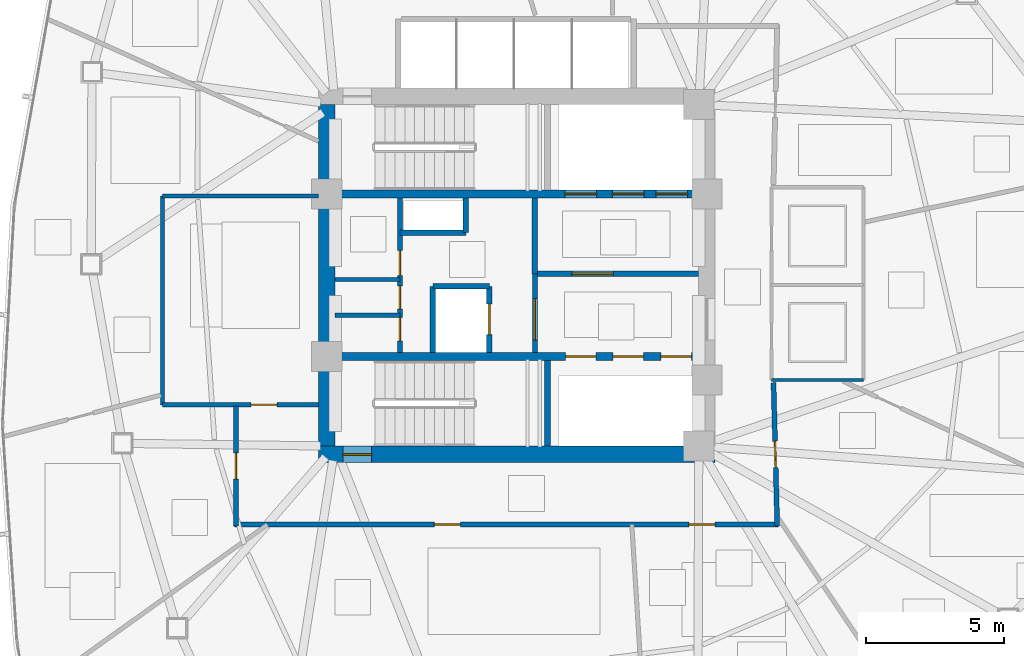
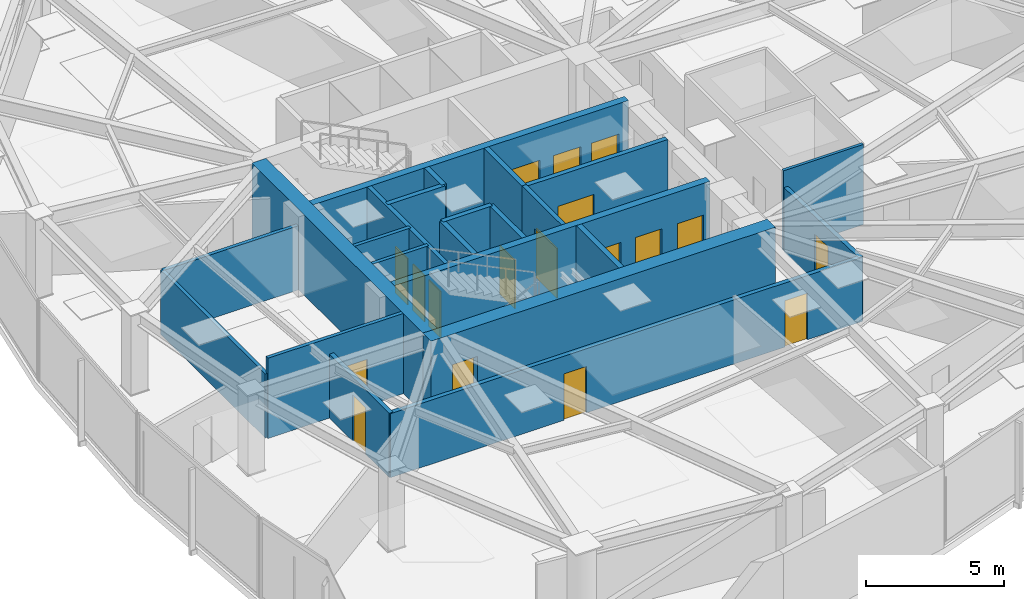
# One storey, part 11 of 17: 23 walls, 18 doors, 18 openings.
"""IFC4 building model written with IfcOpenShell, lengths in metres."""

from ifc_helpers import new_model, si_unit, direction, frame, frame_2d, origin, place, context, subcontext, project, spatial, rectangle, extrude, material, layer, layer_set, type_object, element, fill, save


model = new_model("IFC4")

# Units and contexts
model_context = context("Model", 3, precision=1e-05, world=origin(), true_north=direction((0.0, 1.0)))
body_context = subcontext(model_context, "Body", "Model", "MODEL_VIEW")
ifc_project = project(units=[si_unit("LENGTHUNIT", "METRE"), si_unit("AREAUNIT", "SQUARE_METRE"), si_unit("VOLUMEUNIT", "CUBIC_METRE"), si_unit("PLANEANGLEUNIT", "RADIAN"), si_unit("MASSUNIT", "GRAM", prefix="KILO")], contexts=[model_context])

# Site, building, storey
site_placement = place(None, origin())
site = spatial("IfcSite", under=ifc_project, at=site_placement, CompositionType="ELEMENT")
building_placement = place(site_placement, origin())
building = spatial("IfcBuilding", under=site, at=building_placement, Name="Tavelor Broadcast Tower", CompositionType="ELEMENT")
storey_placement = place(building_placement, frame((0.0, 0.0, 131.0)))
storey = spatial("IfcBuildingStorey", under=building, at=storey_placement, Name="L30", CompositionType="ELEMENT", Elevation=131.0)

# Wall, opening, door
ifc_material_1 = material(Name="Concrete C60/75", Category="concrete")
ifc_layer_1 = layer(ifc_material_1, 0.60009765625)
ifc_layer_set_1 = layer_set([ifc_layer_1], Name="Concrete C60/75")
wall_type_1 = type_object("IfcWallType", Name="Core Shear Wall 600 mm", PredefinedType="SHEAR", material=ifc_layer_set_1)
wall_1_placement = place(storey_placement, frame((42.800048828125, 38.5, 0.0), z_axis=(0.0, 0.0, 1.0), x_axis=(1.0, 0.0, 0.0)))
wall_1 = element("IfcWall", 1, at=wall_1_placement, inside=storey, type_object=wall_type_1, Name="L30 Central Core Shear Wall S", PredefinedType="SHEAR", context=body_context, shape_type="SweptSolid", body=[
    extrude(rectangle(XDim=14.39990234375, YDim=0.60009765625, at=frame_2d((7.199951171875, 0.0))), origin(), (0.0, 0.0, 1.0), 3.550048828125),
])
opening_1_placement = place(wall_1_placement, frame((0.8798828125, 0.0, 0.0)))
opening_1 = element("IfcOpeningElement", 2, at=opening_1_placement, cuts=wall_1, Name="Opening DR11", PredefinedType="OPENING", context=body_context, shape_type="SweptSolid", body=[
    extrude(rectangle(XDim=1.050048828125, YDim=2.199951171875, at=frame_2d((0.52490234375, 1.10009765625))), frame((0.0, 0.31005859375, 0.0), z_axis=(0.0, -1.0, 0.0), x_axis=(1.0, 0.0, 0.0)), (0.0, 0.0, 1.0), 0.6201171875),
])
ifc_material_2 = material(Name="Steel S355", Category="steel")
door_type_1 = type_object("IfcDoorType", Name="Stair Core Fire Escape Door 1050x2200", OperationType="NOTDEFINED", PredefinedType="DOOR", material=ifc_material_2)
door_1_placement = place(opening_1_placement, origin())
door_1 = element("IfcDoor", 3, at=door_1_placement, inside=storey, type_object=door_type_1, Name="L30 Stair ST2 Protected Exit Door", OperationType="SINGLE_SWING_RIGHT", OverallHeight=2.199951171875, OverallWidth=1.050048828125, PredefinedType="DOOR", context=body_context, shape_type="SweptSolid", body=[
    extrude(rectangle(XDim=1.050048828125, YDim=2.199951171875, at=frame_2d((0.52490234375, 1.10009765625))), frame((0.0, 0.02490234375, 0.0), z_axis=(0.0, -1.0, 0.0), x_axis=(1.0, 0.0, 0.0)), (0.0, 0.0, 1.0), 0.050048828125),
])
fill(opening_1, door_1)

# Wall
wall_2_placement = place(storey_placement, frame((43.10009765625, 38.800048828125, 0.0), z_axis=(0.0, 0.0, 1.0), x_axis=(0.0, 1.0, 0.0)))
element("IfcWall", 4, at=wall_2_placement, inside=storey, type_object=wall_type_1, Name="L30 Central Core Shear Wall W", PredefinedType="SHEAR", context=body_context, shape_type="SweptSolid", body=[
    extrude(rectangle(XDim=12.39990234375, YDim=0.60009765625, at=frame_2d((6.199951171875, 0.0))), origin(), (0.0, 0.0, 1.0), 3.550048828125),
])

# Wall, openings, doors
ifc_layer_2 = layer(ifc_material_1, 0.300048828125)
ifc_layer_set_2 = layer_set([ifc_layer_2], Name="Concrete C60/75")
wall_type_2 = type_object("IfcWallType", Name="Core Spine Shear Wall 300 mm C60", PredefinedType="SHEAR", material=ifc_layer_set_2)
wall_3_placement = place(storey_placement, frame((43.39990234375, 47.949951171875, 0.0), z_axis=(0.0, 0.0, 1.0), x_axis=(1.0, 0.0, 0.0)))
wall_3 = element("IfcWall", 5, at=wall_3_placement, inside=storey, type_object=wall_type_2, Name="L30 Central Core Shear Wall SP1", PredefinedType="SHEAR", context=body_context, shape_type="SweptSolid", body=[
    extrude(rectangle(XDim=13.2001953125, YDim=0.300048828125, at=frame_2d((6.60009765625, 0.0))), origin(), (0.0, 0.0, 1.0), 3.550048828125),
])
opening_2_placement = place(wall_3_placement, frame((8.344970703125, 0.0, 0.0)))
opening_2 = element("IfcOpeningElement", 6, at=opening_2_placement, cuts=wall_3, Name="Opening LD02", PredefinedType="OPENING", context=body_context, shape_type="SweptSolid", body=[
    extrude(rectangle(XDim=1.14990234375, YDim=2.199951171875, at=frame_2d((0.574951171875, 1.10009765625))), frame((0.0, 0.16015625, 0.0), z_axis=(0.0, -1.0, 0.0), x_axis=(1.0, 0.0, 0.0)), (0.0, 0.0, 1.0), 0.320068359375),
])
opening_3_placement = place(wall_3_placement, frame((10.06494140625, 0.0, 0.0)))
opening_3 = element("IfcOpeningElement", 7, at=opening_3_placement, cuts=wall_3, Name="Opening LD02", PredefinedType="OPENING", context=body_context, shape_type="SweptSolid", body=[
    extrude(rectangle(XDim=1.14990234375, YDim=2.199951171875, at=frame_2d((0.574951171875, 1.10009765625))), frame((0.0, 0.16015625, 0.0), z_axis=(0.0, -1.0, 0.0), x_axis=(1.0, 0.0, 0.0)), (0.0, 0.0, 1.0), 0.320068359375),
])
opening_4_placement = place(wall_3_placement, frame((11.64501953125, 0.0, 0.0)))
opening_4 = element("IfcOpeningElement", 8, at=opening_4_placement, cuts=wall_3, Name="Opening LD03", PredefinedType="OPENING", context=body_context, shape_type="SweptSolid", body=[
    extrude(rectangle(XDim=1.14990234375, YDim=2.199951171875, at=frame_2d((0.574951171875, 1.10009765625))), frame((0.0, 0.16015625, 0.0), z_axis=(0.0, -1.0, 0.0), x_axis=(1.0, 0.0, 0.0)), (0.0, 0.0, 1.0), 0.320068359375),
])
ifc_material_3 = material(Name="Reinforced Brushed Stainless Steel", Category="concrete")
door_type_2 = type_object("IfcDoorType", Name="Broadcast Goods Lift Sliding Landing Door 1250x2200", OperationType="NOTDEFINED", PredefinedType="DOOR", material=ifc_material_3)
door_2_placement = place(opening_4_placement, origin())
door_2 = element("IfcDoor", 9, at=door_2_placement, inside=storey, type_object=door_type_2, Name="L30 Lift SVL1 Sliding Landing Door", OperationType="SLIDING_TO_LEFT", OverallHeight=2.199951171875, OverallWidth=1.14990234375, PredefinedType="DOOR", context=body_context, shape_type="SweptSolid", body=[
    extrude(rectangle(XDim=1.14990234375, YDim=2.199951171875, at=frame_2d((0.574951171875, 1.10009765625))), frame((0.0, 0.02490234375, 0.0), z_axis=(0.0, -1.0, 0.0), x_axis=(1.0, 0.0, 0.0)), (0.0, 0.0, 1.0), 0.050048828125),
])
fill(opening_4, door_2)
ifc_material_4 = material(Name="Fire-Rated Stainless Steel", Category="steel")
door_type_3 = type_object("IfcDoorType", Name="Firefighting Lift Sliding Landing Door 1200x2200", OperationType="NOTDEFINED", PredefinedType="DOOR", material=ifc_material_4)
door_3_placement = place(opening_2_placement, origin())
door_3 = element("IfcDoor", 10, at=door_3_placement, inside=storey, type_object=door_type_3, Name="L30 Lift FFL1 Sliding Landing Door", OperationType="SLIDING_TO_LEFT", OverallHeight=2.199951171875, OverallWidth=1.14990234375, PredefinedType="DOOR", context=body_context, shape_type="SweptSolid", body=[
    extrude(rectangle(XDim=1.14990234375, YDim=2.199951171875, at=frame_2d((0.574951171875, 1.10009765625))), frame((0.0, 0.02490234375, 0.0), z_axis=(0.0, -1.0, 0.0), x_axis=(1.0, 0.0, 0.0)), (0.0, 0.0, 1.0), 0.050048828125),
])
fill(opening_2, door_3)
door_4_placement = place(opening_3_placement, origin())
door_4 = element("IfcDoor", 11, at=door_4_placement, inside=storey, type_object=door_type_3, Name="L30 Lift FFL2 Sliding Landing Door", OperationType="SLIDING_TO_LEFT", OverallHeight=2.199951171875, OverallWidth=1.14990234375, PredefinedType="DOOR", context=body_context, shape_type="SweptSolid", body=[
    extrude(rectangle(XDim=1.14990234375, YDim=2.199951171875, at=frame_2d((0.574951171875, 1.10009765625))), frame((0.0, 0.02490234375, 0.0), z_axis=(0.0, -1.0, 0.0), x_axis=(1.0, 0.0, 0.0)), (0.0, 0.0, 1.0), 0.050048828125),
])
fill(opening_3, door_4)

wall_4_placement = place(storey_placement, frame((43.39990234375, 42.050048828125, 0.0), z_axis=(0.0, 0.0, 1.0), x_axis=(1.0, 0.0, 0.0)))
wall_4 = element("IfcWall", 12, at=wall_4_placement, inside=storey, type_object=wall_type_2, Name="L30 Central Core Shear Wall SP2", PredefinedType="SHEAR", context=body_context, shape_type="SweptSolid", body=[
    extrude(rectangle(XDim=13.2001953125, YDim=0.300048828125, at=frame_2d((6.60009765625, 0.0))), origin(), (0.0, 0.0, 1.0), 3.550048828125),
])
opening_5_placement = place(wall_4_placement, frame((8.3701171875, 0.0, 0.0)))
opening_5 = element("IfcOpeningElement", 13, at=opening_5_placement, cuts=wall_4, Name="Opening LD01", PredefinedType="OPENING", context=body_context, shape_type="SweptSolid", body=[
    extrude(rectangle(XDim=1.10009765625, YDim=2.14990234375, at=frame_2d((0.550048828125, 1.074951171875))), frame((0.0, 0.16015625, 0.0), z_axis=(0.0, -1.0, 0.0), x_axis=(1.0, 0.0, 0.0)), (0.0, 0.0, 1.0), 0.320068359375),
])
opening_6_placement = place(wall_4_placement, frame((10.090087890625, 0.0, 0.0)))
opening_6 = element("IfcOpeningElement", 14, at=opening_6_placement, cuts=wall_4, Name="Opening LD01", PredefinedType="OPENING", context=body_context, shape_type="SweptSolid", body=[
    extrude(rectangle(XDim=1.10009765625, YDim=2.14990234375, at=frame_2d((0.550048828125, 1.074951171875))), frame((0.0, 0.16015625, 0.0), z_axis=(0.0, -1.0, 0.0), x_axis=(1.0, 0.0, 0.0)), (0.0, 0.0, 1.0), 0.320068359375),
])
opening_7_placement = place(wall_4_placement, frame((11.830078125, 0.0, 0.0)))
opening_7 = element("IfcOpeningElement", 15, at=opening_7_placement, cuts=wall_4, Name="Opening LD01", PredefinedType="OPENING", context=body_context, shape_type="SweptSolid", body=[
    extrude(rectangle(XDim=1.10009765625, YDim=2.14990234375, at=frame_2d((0.550048828125, 1.074951171875))), frame((0.0, 0.16015625, 0.0), z_axis=(0.0, -1.0, 0.0), x_axis=(1.0, 0.0, 0.0)), (0.0, 0.0, 1.0), 0.320068359375),
])
ifc_material_5 = material(Name="Brushed Stainless Steel", Category="steel")
door_type_4 = type_object("IfcDoorType", Name="Passenger Lift Sliding Landing Door 1100x2150", OperationType="NOTDEFINED", PredefinedType="DOOR", material=ifc_material_5)
door_5_placement = place(opening_5_placement, origin())
door_5 = element("IfcDoor", 16, at=door_5_placement, inside=storey, type_object=door_type_4, Name="L30 Lift PLM1 Sliding Landing Door", OperationType="SLIDING_TO_LEFT", OverallHeight=2.14990234375, OverallWidth=1.10009765625, PredefinedType="DOOR", context=body_context, shape_type="SweptSolid", body=[
    extrude(rectangle(XDim=1.10009765625, YDim=2.14990234375, at=frame_2d((0.550048828125, 1.074951171875))), frame((0.0, 0.02490234375, 0.0), z_axis=(0.0, -1.0, 0.0), x_axis=(1.0, 0.0, 0.0)), (0.0, 0.0, 1.0), 0.050048828125),
])
fill(opening_5, door_5)
door_6_placement = place(opening_6_placement, origin())
door_6 = element("IfcDoor", 17, at=door_6_placement, inside=storey, type_object=door_type_4, Name="L30 Lift PLM2 Sliding Landing Door", OperationType="SLIDING_TO_LEFT", OverallHeight=2.14990234375, OverallWidth=1.10009765625, PredefinedType="DOOR", context=body_context, shape_type="SweptSolid", body=[
    extrude(rectangle(XDim=1.10009765625, YDim=2.14990234375, at=frame_2d((0.550048828125, 1.074951171875))), frame((0.0, 0.02490234375, 0.0), z_axis=(0.0, -1.0, 0.0), x_axis=(1.0, 0.0, 0.0)), (0.0, 0.0, 1.0), 0.050048828125),
])
fill(opening_6, door_6)
door_7_placement = place(opening_7_placement, origin())
door_7 = element("IfcDoor", 18, at=door_7_placement, inside=storey, type_object=door_type_4, Name="L30 Lift PLM3 Sliding Landing Door", OperationType="SLIDING_TO_LEFT", OverallHeight=2.14990234375, OverallWidth=1.10009765625, PredefinedType="DOOR", context=body_context, shape_type="SweptSolid", body=[
    extrude(rectangle(XDim=1.10009765625, YDim=2.14990234375, at=frame_2d((0.550048828125, 1.074951171875))), frame((0.0, 0.02490234375, 0.0), z_axis=(0.0, -1.0, 0.0), x_axis=(1.0, 0.0, 0.0)), (0.0, 0.0, 1.0), 0.050048828125),
])
fill(opening_7, door_7)

# Wall, opening, door
ifc_material_6 = material(Name="Calcium Silicate Fire Board 180 mm", Category="gypsum")
ifc_layer_3 = layer(ifc_material_6, 0.179931640625)
ifc_layer_set_3 = layer_set([ifc_layer_3], Name="Calcium Silicate Fire Board 180 mm")
wall_type_3 = type_object("IfcWallType", Name="Fire-Rated Corridor Partition Wall 180 mm", PredefinedType="PARTITIONING", material=ifc_layer_set_3)
wall_5_placement = place(storey_placement, frame((50.64990234375, 42.199951171875, 0.0), z_axis=(0.0, 0.0, 1.0), x_axis=(0.0, 1.0, 0.0)))
wall_5 = element("IfcWall", 19, at=wall_5_placement, inside=storey, type_object=wall_type_3, Name="L30 Core Lobby Zoning Wall", PredefinedType="PARTITIONING", context=body_context, shape_type="SweptSolid", body=[
    extrude(rectangle(XDim=2.85009765625, YDim=0.179931640625, at=frame_2d((1.425048828125, 0.0))), origin(), (0.0, 0.0, 1.0), 3.550048828125),
])
opening_8_placement = place(wall_5_placement, frame((0.449951171875, 0.0, 0.0)))
opening_8 = element("IfcOpeningElement", 20, at=opening_8_placement, cuts=wall_5, Name="Opening DR14", PredefinedType="OPENING", context=body_context, shape_type="SweptSolid", body=[
    extrude(rectangle(XDim=1.5, YDim=2.199951171875, at=frame_2d((0.75, 1.10009765625))), frame((0.0, 0.10009765625, 0.0), z_axis=(0.0, -1.0, 0.0), x_axis=(1.0, 0.0, 0.0)), (0.0, 0.0, 1.0), 0.199951171875),
])
door_type_5 = type_object("IfcDoorType", Name="Firefighting Lobby Double Fire Door 1500x2200", OperationType="NOTDEFINED", PredefinedType="DOOR", material=ifc_material_2)
door_8_placement = place(opening_8_placement, origin())
door_8 = element("IfcDoor", 21, at=door_8_placement, inside=storey, type_object=door_type_5, Name="L30 Core West Lobby Double Fire Door", OperationType="SINGLE_SWING_RIGHT", OverallHeight=2.199951171875, OverallWidth=1.5, PredefinedType="DOOR", context=body_context, shape_type="SweptSolid", body=[
    extrude(rectangle(XDim=1.5, YDim=2.199951171875, at=frame_2d((0.75, 1.10009765625))), frame((0.0, 0.02490234375, 0.0), z_axis=(0.0, -1.0, 0.0), x_axis=(1.0, 0.0, 0.0)), (0.0, 0.0, 1.0), 0.050048828125),
])
fill(opening_8, door_8)

# Wall, openings, doors
wall_6_placement = place(storey_placement, frame((45.75, 42.199951171875, 0.0), z_axis=(0.0, 0.0, 1.0), x_axis=(0.0, 1.0, 0.0)))
wall_6 = element("IfcWall", 22, at=wall_6_placement, inside=storey, type_object=wall_type_3, Name="L30 Core West Service East Wall", PredefinedType="PARTITIONING", context=body_context, shape_type="SweptSolid", body=[
    extrude(rectangle(XDim=5.60009765625, YDim=0.179931640625, at=frame_2d((2.800048828125, 0.0))), origin(), (0.0, 0.0, 1.0), 3.550048828125),
])
opening_9_placement = place(wall_6_placement, frame((0.419921875, 0.0, 0.0)))
opening_9 = element("IfcOpeningElement", 23, at=opening_9_placement, cuts=wall_6, Name="Opening DR36", PredefinedType="OPENING", context=body_context, shape_type="SweptSolid", body=[
    extrude(rectangle(XDim=0.85009765625, YDim=2.050048828125, at=frame_2d((0.425048828125, 1.02490234375))), frame((0.0, 0.10009765625, 0.0), z_axis=(0.0, -1.0, 0.0), x_axis=(1.0, 0.0, 0.0)), (0.0, 0.0, 1.0), 0.199951171875),
])
opening_10_placement = place(wall_6_placement, frame((1.570068359375, 0.0, 0.0)))
opening_10 = element("IfcOpeningElement", 24, at=opening_10_placement, cuts=wall_6, Name="Opening DR36", PredefinedType="OPENING", context=body_context, shape_type="SweptSolid", body=[
    extrude(rectangle(XDim=0.85009765625, YDim=2.050048828125, at=frame_2d((0.425048828125, 1.02490234375))), frame((0.0, 0.10009765625, 0.0), z_axis=(0.0, -1.0, 0.0), x_axis=(1.0, 0.0, 0.0)), (0.0, 0.0, 1.0), 0.199951171875),
])
opening_11_placement = place(wall_6_placement, frame((2.800048828125, 0.0, 0.0)))
opening_11 = element("IfcOpeningElement", 25, at=opening_11_placement, cuts=wall_6, Name="Opening DR32", PredefinedType="OPENING", context=body_context, shape_type="SweptSolid", body=[
    extrude(rectangle(XDim=0.89990234375, YDim=2.050048828125, at=frame_2d((0.449951171875, 1.02490234375))), frame((0.0, 0.10009765625, 0.0), z_axis=(0.0, -1.0, 0.0), x_axis=(1.0, 0.0, 0.0)), (0.0, 0.0, 1.0), 0.199951171875),
])
ifc_material_7 = material(Name="Timber Solid Core Hardwood", Category="wood")
door_type_6 = type_object("IfcDoorType", Name="Accessible Washroom Door 900x2050", OperationType="NOTDEFINED", PredefinedType="DOOR", material=ifc_material_7)
door_9_placement = place(opening_11_placement, origin())
door_9 = element("IfcDoor", 26, at=door_9_placement, inside=storey, type_object=door_type_6, Name="L30 Core Accessible WC Door", OperationType="SINGLE_SWING_LEFT", OverallHeight=2.050048828125, OverallWidth=0.89990234375, PredefinedType="DOOR", context=body_context, shape_type="SweptSolid", body=[
    extrude(rectangle(XDim=0.89990234375, YDim=2.050048828125, at=frame_2d((0.449951171875, 1.02490234375))), frame((0.0, 0.02490234375, 0.0), z_axis=(0.0, -1.0, 0.0), x_axis=(1.0, 0.0, 0.0)), (0.0, 0.0, 1.0), 0.050048828125),
])
fill(opening_11, door_9)
door_type_7 = type_object("IfcDoorType", Name="Service Room Fire Door 850x2050", OperationType="NOTDEFINED", PredefinedType="DOOR", material=ifc_material_2)
door_10_placement = place(opening_9_placement, origin())
door_10 = element("IfcDoor", 27, at=door_10_placement, inside=storey, type_object=door_type_7, Name="L30 Core Medical Room Door", OperationType="SINGLE_SWING_LEFT", OverallHeight=2.050048828125, OverallWidth=0.85009765625, PredefinedType="DOOR", context=body_context, shape_type="SweptSolid", body=[
    extrude(rectangle(XDim=0.85009765625, YDim=2.050048828125, at=frame_2d((0.425048828125, 1.02490234375))), frame((0.0, 0.02490234375, 0.0), z_axis=(0.0, -1.0, 0.0), x_axis=(1.0, 0.0, 0.0)), (0.0, 0.0, 1.0), 0.050048828125),
])
fill(opening_9, door_10)
door_11_placement = place(opening_10_placement, origin())
door_11 = element("IfcDoor", 28, at=door_11_placement, inside=storey, type_object=door_type_7, Name="L30 Core Copy Room Door", OperationType="SINGLE_SWING_RIGHT", OverallHeight=2.050048828125, OverallWidth=0.85009765625, PredefinedType="DOOR", context=body_context, shape_type="SweptSolid", body=[
    extrude(rectangle(XDim=0.85009765625, YDim=2.050048828125, at=frame_2d((0.425048828125, 1.02490234375))), frame((0.0, 0.02490234375, 0.0), z_axis=(0.0, -1.0, 0.0), x_axis=(1.0, 0.0, 0.0)), (0.0, 0.0, 1.0), 0.050048828125),
])
fill(opening_10, door_11)

# Wall, opening, door
wall_7_placement = place(storey_placement, frame((59.31640625, 41.10009765625, 0.0), z_axis=(0.0, 0.0, 1.0), x_axis=(0.025953695765, -0.999663146103, 0.0)))
wall_7 = element("IfcWall", 29, at=wall_7_placement, inside=storey, type_object=wall_type_3, Name="L30 Corridor Compartment Wall 03", PredefinedType="PARTITIONING", context=body_context, shape_type="SweptSolid", body=[
    extrude(rectangle(XDim=5.201904296875, YDim=0.179931640625, at=frame_2d((2.60107421875, 0.0))), origin(), (0.0, 0.0, 1.0), 2.8349609375),
])
opening_12_placement = place(wall_7_placement, frame((2.1259765625, 0.0, 0.0)))
opening_12 = element("IfcOpeningElement", 30, at=opening_12_placement, cuts=wall_7, Name="Opening DR18", PredefinedType="OPENING", context=body_context, shape_type="SweptSolid", body=[
    extrude(rectangle(XDim=0.949951171875, YDim=2.050048828125, at=frame_2d((0.47509765625, 1.02490234375))), frame((0.0, 0.10009765625, 0.0), z_axis=(0.0, -1.0, 0.0), x_axis=(1.0, 0.0, 0.0)), (0.0, 0.0, 1.0), 0.199951171875),
])
door_type_8 = type_object("IfcDoorType", Name="Corridor Rated Compartment Door 950x2050", OperationType="NOTDEFINED", PredefinedType="DOOR", material=ifc_material_7)
door_12_placement = place(opening_12_placement, origin())
door_12 = element("IfcDoor", 31, at=door_12_placement, inside=storey, type_object=door_type_8, Name="L30 Creative Huddle Room Door R0", OperationType="SINGLE_SWING_LEFT", OverallHeight=2.050048828125, OverallWidth=0.949951171875, PredefinedType="DOOR", context=body_context, shape_type="SweptSolid", body=[
    extrude(rectangle(XDim=0.949951171875, YDim=2.050048828125, at=frame_2d((0.47509765625, 1.02490234375))), frame((0.0, 0.02490234375, 0.0), z_axis=(0.0, -1.0, 0.0), x_axis=(1.0, 0.0, 0.0)), (0.0, 0.0, 1.0), 0.050048828125),
])
fill(opening_12, door_12)

# Wall, openings, doors
wall_8_placement = place(storey_placement, frame((59.5, 35.949951171875, 0.0), z_axis=(0.0, 0.0, 1.0), x_axis=(-1.0, 0.0, 0.0)))
wall_8 = element("IfcWall", 32, at=wall_8_placement, inside=storey, type_object=wall_type_3, Name="L30 Corridor Compartment Wall 04", PredefinedType="PARTITIONING", context=body_context, shape_type="SweptSolid", body=[
    extrude(rectangle(XDim=19.75, YDim=0.179931640625, at=frame_2d((9.875, 0.0))), origin(), (0.0, 0.0, 1.0), 2.8349609375),
])
opening_13_placement = place(wall_8_placement, frame((2.3037109375, 0.0, 0.0)))
opening_13 = element("IfcOpeningElement", 33, at=opening_13_placement, cuts=wall_8, Name="Opening DR18", PredefinedType="OPENING", context=body_context, shape_type="SweptSolid", body=[
    extrude(rectangle(XDim=0.949951171875, YDim=2.050048828125, at=frame_2d((0.47509765625, 1.02490234375))), frame((0.0, 0.10009765625, 0.0), z_axis=(0.0, -1.0, 0.0), x_axis=(1.0, 0.0, 0.0)), (0.0, 0.0, 1.0), 0.199951171875),
])
opening_14_placement = place(wall_8_placement, frame((11.549560546875, 0.0, 0.0)))
opening_14 = element("IfcOpeningElement", 34, at=opening_14_placement, cuts=wall_8, Name="Opening DR18", PredefinedType="OPENING", context=body_context, shape_type="SweptSolid", body=[
    extrude(rectangle(XDim=0.949951171875, YDim=2.050048828125, at=frame_2d((0.47509765625, 1.02490234375))), frame((0.0, 0.10009765625, 0.0), z_axis=(0.0, -1.0, 0.0), x_axis=(1.0, 0.0, 0.0)), (0.0, 0.0, 1.0), 0.199951171875),
])
door_13_placement = place(opening_13_placement, origin())
door_13 = element("IfcDoor", 35, at=door_13_placement, inside=storey, type_object=door_type_8, Name="L30 Technical Mail and Post Room Door R9", OperationType="SINGLE_SWING_RIGHT", OverallHeight=2.050048828125, OverallWidth=0.949951171875, PredefinedType="DOOR", context=body_context, shape_type="SweptSolid", body=[
    extrude(rectangle(XDim=0.949951171875, YDim=2.050048828125, at=frame_2d((0.47509765625, 1.02490234375))), frame((0.0, 0.02490234375, 0.0), z_axis=(0.0, -1.0, 0.0), x_axis=(1.0, 0.0, 0.0)), (0.0, 0.0, 1.0), 0.050048828125),
])
fill(opening_13, door_13)
door_14_placement = place(opening_14_placement, origin())
door_14 = element("IfcDoor", 36, at=door_14_placement, inside=storey, type_object=door_type_8, Name="L30 Producer Interview Room Door R2", OperationType="SINGLE_SWING_LEFT", OverallHeight=2.050048828125, OverallWidth=0.949951171875, PredefinedType="DOOR", context=body_context, shape_type="SweptSolid", body=[
    extrude(rectangle(XDim=0.949951171875, YDim=2.050048828125, at=frame_2d((0.47509765625, 1.02490234375))), frame((0.0, 0.02490234375, 0.0), z_axis=(0.0, -1.0, 0.0), x_axis=(1.0, 0.0, 0.0)), (0.0, 0.0, 1.0), 0.050048828125),
])
fill(opening_14, door_14)

# Wall, opening, door
wall_9_placement = place(storey_placement, frame((39.800048828125, 35.89990234375, 0.0), z_axis=(0.0, 0.0, 1.0), x_axis=(0.0, 1.0, 0.0)))
wall_9 = element("IfcWall", 37, at=wall_9_placement, inside=storey, type_object=wall_type_3, Name="L30 Corridor Compartment Wall 05", PredefinedType="PARTITIONING", context=body_context, shape_type="SweptSolid", body=[
    extrude(rectangle(XDim=4.35009765625, YDim=0.179931640625, at=frame_2d((2.175048828125, 0.0))), origin(), (0.0, 0.0, 1.0), 2.8349609375),
])
opening_15_placement = place(wall_9_placement, frame((1.699951171875, 0.0, 0.0)))
opening_15 = element("IfcOpeningElement", 38, at=opening_15_placement, cuts=wall_9, Name="Opening DR18", PredefinedType="OPENING", context=body_context, shape_type="SweptSolid", body=[
    extrude(rectangle(XDim=0.949951171875, YDim=2.050048828125, at=frame_2d((0.47509765625, 1.02490234375))), frame((0.0, 0.10009765625, 0.0), z_axis=(0.0, -1.0, 0.0), x_axis=(1.0, 0.0, 0.0)), (0.0, 0.0, 1.0), 0.199951171875),
])
door_15_placement = place(opening_15_placement, origin())
door_15 = element("IfcDoor", 39, at=door_15_placement, inside=storey, type_object=door_type_8, Name="L30 Editorial Huddle Room Door R3", OperationType="SINGLE_SWING_RIGHT", OverallHeight=2.050048828125, OverallWidth=0.949951171875, PredefinedType="DOOR", context=body_context, shape_type="SweptSolid", body=[
    extrude(rectangle(XDim=0.949951171875, YDim=2.050048828125, at=frame_2d((0.47509765625, 1.02490234375))), frame((0.0, 0.02490234375, 0.0), z_axis=(0.0, -1.0, 0.0), x_axis=(1.0, 0.0, 0.0)), (0.0, 0.0, 1.0), 0.050048828125),
])
fill(opening_15, door_15)

# Walls
ifc_material_8 = material(Name="Gypsum Acoustic Plasterboard 150 mm", Category="gypsum")
ifc_layer_4 = layer(ifc_material_8, 0.14990234375)
ifc_layer_set_4 = layer_set([ifc_layer_4], Name="Gypsum Acoustic Plasterboard 150 mm")
wall_type_4 = type_object("IfcWallType", Name="Interior Acoustic Partition Wall 150 mm", PredefinedType="PARTITIONING", material=ifc_layer_set_4)
for number, where, z_axis, x_axis, name in (
    (40, (43.39990234375, 43.550048828125, 0.0), (0.0, 0.0, 1.0), (1.0, 0.0, 0.0), "L30 Core Split Wall B1"),
    (41, (43.39990234375, 44.85009765625, 0.0), (0.0, 0.0, 1.0), (1.0, 0.0, 0.0), "L30 Core Split Wall B2"),
):
    element("IfcWall", number, at=place(storey_placement, frame(where, z_axis=z_axis, x_axis=x_axis)), inside=storey, type_object=wall_type_4, Name=name, PredefinedType="PARTITIONING", context=body_context, shape_type="SweptSolid", body=[
        extrude(rectangle(XDim=2.35009765625, YDim=0.14990234375, at=frame_2d((1.175048828125, 0.0))), origin(), (0.0, 0.0, 1.0), 3.550048828125),
    ])

# Wall, opening, door
wall_10_placement = place(storey_placement, frame((37.139892578125, 40.300048828125, 0.0), z_axis=(0.0, 0.0, 1.0), x_axis=(1.0, 0.0, 0.0)))
wall_10 = element("IfcWall", 42, at=wall_10_placement, inside=storey, type_object=wall_type_4, Name="L30 Reclaimed Shaft Pantry South Wall", PredefinedType="PARTITIONING", context=body_context, shape_type="SweptSolid", body=[
    extrude(rectangle(XDim=5.66015625, YDim=0.14990234375, at=frame_2d((2.830078125, 0.0))), origin(), (0.0, 0.0, 1.0), 3.550048828125),
])
opening_16_placement = place(wall_10_placement, frame((3.2099609375, 0.0, 0.0)))
opening_16 = element("IfcOpeningElement", 43, at=opening_16_placement, cuts=wall_10, Name="Opening DR18", PredefinedType="OPENING", context=body_context, shape_type="SweptSolid", body=[
    extrude(rectangle(XDim=0.949951171875, YDim=2.050048828125, at=frame_2d((0.47509765625, 1.02490234375))), frame((0.0, 0.0849609375, 0.0), z_axis=(0.0, -1.0, 0.0), x_axis=(1.0, 0.0, 0.0)), (0.0, 0.0, 1.0), 0.169921875),
])
door_16_placement = place(opening_16_placement, origin())
door_16 = element("IfcDoor", 44, at=door_16_placement, inside=storey, type_object=door_type_8, Name="L30 Broadcast IT Patch and Pantry Door", OperationType="SINGLE_SWING_LEFT", OverallHeight=2.050048828125, OverallWidth=0.949951171875, PredefinedType="DOOR", context=body_context, shape_type="SweptSolid", body=[
    extrude(rectangle(XDim=0.949951171875, YDim=2.050048828125, at=frame_2d((0.47509765625, 1.02490234375))), frame((0.0, 0.02490234375, 0.0), z_axis=(0.0, -1.0, 0.0), x_axis=(1.0, 0.0, 0.0)), (0.0, 0.0, 1.0), 0.050048828125),
])
fill(opening_16, door_16)

# Walls
wall_11_placement = place(storey_placement, frame((37.139892578125, 40.300048828125, 0.0), z_axis=(0.0, 0.0, 1.0), x_axis=(0.0, 1.0, 0.0)))
element("IfcWall", 45, at=wall_11_placement, inside=storey, type_object=wall_type_4, Name="L30 Reclaimed Shaft Pantry West Wall", PredefinedType="PARTITIONING", context=body_context, shape_type="SweptSolid", body=[
    extrude(rectangle(XDim=7.579833984375, YDim=0.14990234375, at=frame_2d((3.7900390625, 0.0))), origin(), (0.0, 0.0, 1.0), 2.8349609375),
])
wall_12_placement = place(storey_placement, frame((37.139892578125, 47.8798828125, 0.0), z_axis=(0.0, 0.0, 1.0), x_axis=(1.0, 0.0, 0.0)))
element("IfcWall", 46, at=wall_12_placement, inside=storey, type_object=wall_type_4, Name="L30 Reclaimed Shaft Pantry North Wall", PredefinedType="PARTITIONING", context=body_context, shape_type="SweptSolid", body=[
    extrude(rectangle(XDim=5.66015625, YDim=0.14990234375, at=frame_2d((2.830078125, 0.0))), origin(), (0.0, 0.0, 1.0), 2.8349609375),
])

# Wall, opening, door
ifc_material_9 = material(Name="Concrete Blockwork 200 mm", Category="masonry")
ifc_layer_5 = layer(ifc_material_9, 0.199951171875)
ifc_layer_set_5 = layer_set([ifc_layer_5], Name="Concrete Blockwork 200 mm")
wall_type_5 = type_object("IfcWallType", Name="Lift Hoistway Rated Front Wall 200 mm", PredefinedType="PARTITIONING", material=ifc_layer_set_5)
wall_13_placement = place(storey_placement, frame((49.0, 42.199951171875, 0.0), z_axis=(0.0, 0.0, 1.0), x_axis=(0.0, 1.0, 0.0)))
wall_13 = element("IfcWall", 47, at=wall_13_placement, inside=storey, type_object=wall_type_5, Name="L30 Mid-Rise Lift PLM4 Hoistway Front Wall", PredefinedType="PARTITIONING", context=body_context, shape_type="SweptSolid", body=[
    extrude(rectangle(XDim=2.400146484375, YDim=0.199951171875, at=frame_2d((1.2001953125, 0.0))), origin(), (0.0, 0.0, 1.0), 3.550048828125),
])
opening_17_placement = place(wall_13_placement, frame((0.64990234375, 0.0, 0.0)))
opening_17 = element("IfcOpeningElement", 48, at=opening_17_placement, cuts=wall_13, Name="Opening LD01", PredefinedType="OPENING", context=body_context, shape_type="SweptSolid", body=[
    extrude(rectangle(XDim=1.10009765625, YDim=2.14990234375, at=frame_2d((0.550048828125, 1.074951171875))), frame((0.0, 0.10986328125, 0.0), z_axis=(0.0, -1.0, 0.0), x_axis=(1.0, 0.0, 0.0)), (0.0, 0.0, 1.0), 0.219970703125),
])
door_17_placement = place(opening_17_placement, origin())
door_17 = element("IfcDoor", 49, at=door_17_placement, inside=storey, type_object=door_type_4, Name="L30 Lift PLM4 Sliding Landing Door", OperationType="SLIDING_TO_RIGHT", OverallHeight=2.14990234375, OverallWidth=1.10009765625, PredefinedType="DOOR", context=body_context, shape_type="SweptSolid", body=[
    extrude(rectangle(XDim=1.10009765625, YDim=2.14990234375, at=frame_2d((0.550048828125, 1.074951171875))), frame((0.0, 0.02490234375, 0.0), z_axis=(0.0, -1.0, 0.0), x_axis=(1.0, 0.0, 0.0)), (0.0, 0.0, 1.0), 0.050048828125),
])
fill(opening_17, door_17)

# Walls
ifc_layer_6 = layer(ifc_material_9, 0.199951171875)
ifc_layer_set_6 = layer_set([ifc_layer_6], Name="Concrete Blockwork 200 mm")
wall_type_6 = type_object("IfcWallType", Name="Lift and Riser Shaft Enclosure Wall 200 mm", PredefinedType="PARTITIONING", material=ifc_layer_set_6)
wall_14_placement = place(storey_placement, frame((45.75, 46.550048828125, 0.0), z_axis=(0.0, 0.0, 1.0), x_axis=(1.0, 0.0, 0.0)))
element("IfcWall", 50, at=wall_14_placement, inside=storey, type_object=wall_type_6, Name="L30 Riser Shaft South Wall", PredefinedType="PARTITIONING", context=body_context, shape_type="SweptSolid", body=[
    extrude(rectangle(XDim=2.39990234375, YDim=0.199951171875, at=frame_2d((1.199951171875, 0.0))), origin(), (0.0, 0.0, 1.0), 3.550048828125),
])
wall_15_placement = place(storey_placement, frame((48.14990234375, 46.550048828125, 0.0), z_axis=(0.0, 0.0, 1.0), x_axis=(0.0, 1.0, 0.0)))
element("IfcWall", 51, at=wall_15_placement, inside=storey, type_object=wall_type_6, Name="L30 Riser Shaft East Wall", PredefinedType="PARTITIONING", context=body_context, shape_type="SweptSolid", body=[
    extrude(rectangle(XDim=1.25, YDim=0.199951171875, at=frame_2d((0.625, 0.0))), origin(), (0.0, 0.0, 1.0), 3.550048828125),
])
wall_16_placement = place(storey_placement, frame((46.949951171875, 42.199951171875, 0.0), z_axis=(0.0, 0.0, 1.0), x_axis=(0.0, 1.0, 0.0)))
element("IfcWall", 52, at=wall_16_placement, inside=storey, type_object=wall_type_6, Name="L30 Mid-Rise Lift PLM4 West Wall", PredefinedType="PARTITIONING", context=body_context, shape_type="SweptSolid", body=[
    extrude(rectangle(XDim=2.400146484375, YDim=0.199951171875, at=frame_2d((1.2001953125, 0.0))), origin(), (0.0, 0.0, 1.0), 3.550048828125),
])
wall_17_placement = place(storey_placement, frame((46.949951171875, 44.60009765625, 0.0), z_axis=(0.0, 0.0, 1.0), x_axis=(1.0, 0.0, 0.0)))
element("IfcWall", 53, at=wall_17_placement, inside=storey, type_object=wall_type_6, Name="L30 Mid-Rise Lift PLM4 North Wall", PredefinedType="PARTITIONING", context=body_context, shape_type="SweptSolid", body=[
    extrude(rectangle(XDim=2.050048828125, YDim=0.199951171875, at=frame_2d((1.02490234375, 0.0))), origin(), (0.0, 0.0, 1.0), 3.550048828125),
])

# Wall, opening, door
wall_18_placement = place(storey_placement, frame((50.64990234375, 45.050048828125, 0.0), z_axis=(0.0, 0.0, 1.0), x_axis=(1.0, 0.0, 0.0)))
wall_18 = element("IfcWall", 54, at=wall_18_placement, inside=storey, type_object=wall_type_6, Name="L30 Firefighting Lobby South Wall", PredefinedType="PARTITIONING", context=body_context, shape_type="SweptSolid", body=[
    extrude(rectangle(XDim=5.9501953125, YDim=0.199951171875, at=frame_2d((2.97509765625, 0.0))), origin(), (0.0, 0.0, 1.0), 3.550048828125),
])
opening_18_placement = place(wall_18_placement, frame((1.35009765625, 0.0, 0.0)))
opening_18 = element("IfcOpeningElement", 55, at=opening_18_placement, cuts=wall_18, Name="Opening DR14", PredefinedType="OPENING", context=body_context, shape_type="SweptSolid", body=[
    extrude(rectangle(XDim=1.5, YDim=2.199951171875, at=frame_2d((0.75, 1.10009765625))), frame((0.0, 0.10986328125, 0.0), z_axis=(0.0, -1.0, 0.0), x_axis=(1.0, 0.0, 0.0)), (0.0, 0.0, 1.0), 0.219970703125),
])
door_18_placement = place(opening_18_placement, origin())
door_18 = element("IfcDoor", 56, at=door_18_placement, inside=storey, type_object=door_type_5, Name="L30 Firefighting Lobby Compartment Door", OperationType="SINGLE_SWING_LEFT", OverallHeight=2.199951171875, OverallWidth=1.5, PredefinedType="DOOR", context=body_context, shape_type="SweptSolid", body=[
    extrude(rectangle(XDim=1.5, YDim=2.199951171875, at=frame_2d((0.75, 1.10009765625))), frame((0.0, 0.02490234375, 0.0), z_axis=(0.0, -1.0, 0.0), x_axis=(1.0, 0.0, 0.0)), (0.0, 0.0, 1.0), 0.050048828125),
])
fill(opening_18, door_18)

# Walls
wall_19_placement = place(storey_placement, frame((50.64990234375, 45.050048828125, 0.0), z_axis=(0.0, 0.0, 1.0), x_axis=(0.0, 1.0, 0.0)))
element("IfcWall", 57, at=wall_19_placement, inside=storey, type_object=wall_type_6, Name="L30 Firefighting Lobby West Wall", PredefinedType="PARTITIONING", context=body_context, shape_type="SweptSolid", body=[
    extrude(rectangle(XDim=2.75, YDim=0.199951171875, at=frame_2d((1.375, 0.0))), origin(), (0.0, 0.0, 1.0), 3.550048828125),
])
ifc_material_10 = material(Name="Moisture-Resistant Plasterboard 120 mm", Category="gypsum")
ifc_layer_7 = layer(ifc_material_10, 0.1201171875)
ifc_layer_set_7 = layer_set([ifc_layer_7], Name="Moisture-Resistant Plasterboard 120 mm")
wall_type_7 = type_object("IfcWallType", Name="Moisture-Resistant Wet-Room Partition 120 mm", PredefinedType="PARTITIONING", material=ifc_layer_set_7)
wall_20_placement = place(storey_placement, frame((59.239990234375, 41.199951171875, 0.0), z_axis=(0.0, 0.0, 1.0), x_axis=(1.0, 0.0, 0.0)))
element("IfcWall", 58, at=wall_20_placement, inside=storey, type_object=wall_type_7, Name="L30 Floor Washrooms South Wall", PredefinedType="PARTITIONING", context=body_context, shape_type="SweptSolid", body=[
    extrude(rectangle(XDim=3.340087890625, YDim=0.1201171875, at=frame_2d((1.669921875, 0.0))), origin(), (0.0, 0.0, 1.0), 3.550048828125),
])
ifc_material_11 = material(Name="Concrete C40/50", Category="concrete")
ifc_layer_8 = layer(ifc_material_11, 0.219970703125)
ifc_layer_set_8 = layer_set([ifc_layer_8], Name="Concrete C40/50")
wall_type_8 = type_object("IfcWallType", Name="Structural Stairwell Shear Wall 220 mm", PredefinedType="SHEAR", material=ifc_layer_set_8)
wall_21_placement = place(storey_placement, frame((51.110107421875, 38.800048828125, 0.0), z_axis=(0.0, 0.0, 1.0), x_axis=(0.0, 1.0, 0.0)))
element("IfcWall", 59, at=wall_21_placement, inside=storey, type_object=wall_type_8, Name="L30 Stair ST2 Structural Shaft Wall", PredefinedType="SHEAR", context=body_context, shape_type="SweptSolid", body=[
    extrude(rectangle(XDim=3.099853515625, YDim=0.219970703125, at=frame_2d((1.5498046875, 0.0))), origin(), (0.0, 0.0, 1.0), 3.550048828125),
])

save(model, "model.ifc")
